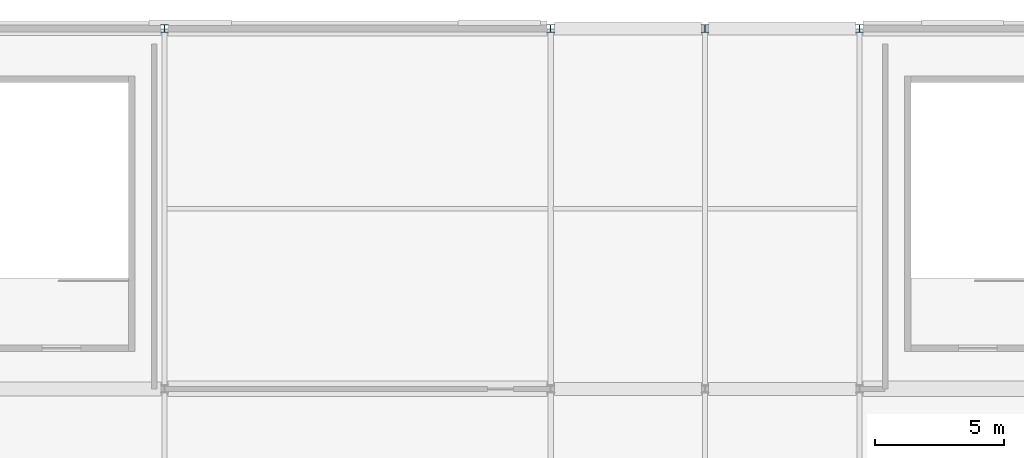
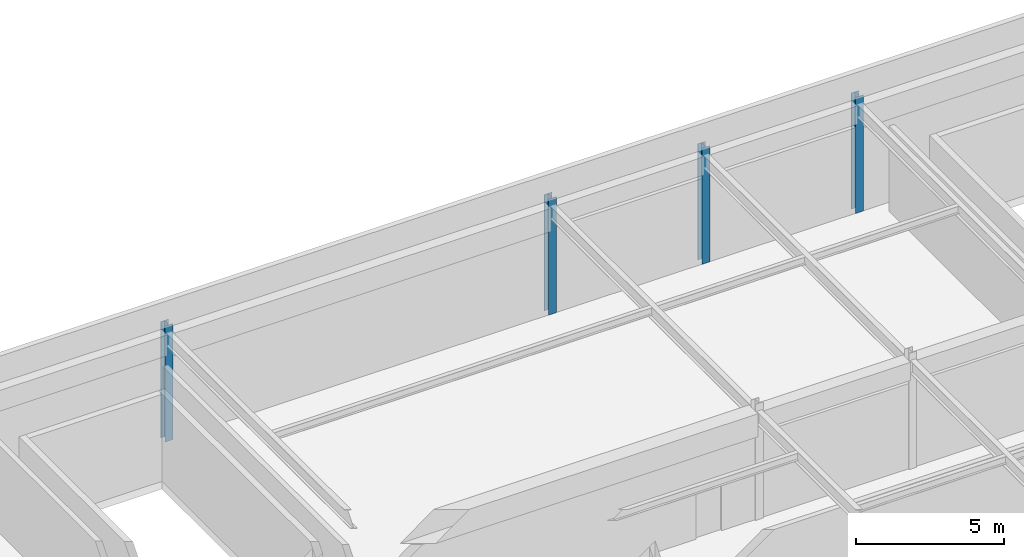
# One storey, part 19 of 122: 4 columns.
"""IFC4 building model written with IfcOpenShell, lengths in metres."""

from ifc_helpers import new_model, si_unit, direction, frame, origin, origin_2d, place, context, subcontext, project, spatial, i_section, extrude, material, material_profile, profile_set, type_object, element, save


model = new_model("IFC4")

# Units and contexts
model_context = context("Model", 3, precision=1e-05, world=origin(), true_north=direction((0.0, 1.0)))
body_context = subcontext(model_context, "Body", "Model", "MODEL_VIEW")
ifc_project = project(units=[si_unit("LENGTHUNIT", "METRE"), si_unit("AREAUNIT", "SQUARE_METRE"), si_unit("VOLUMEUNIT", "CUBIC_METRE"), si_unit("PLANEANGLEUNIT", "RADIAN"), si_unit("MASSUNIT", "GRAM", prefix="KILO")], contexts=[model_context])

# Site, building, storey
site_placement = place(None, origin())
site = spatial("IfcSite", under=ifc_project, at=site_placement, CompositionType="ELEMENT")
building_placement = place(site_placement, origin())
building = spatial("IfcBuilding", under=site, at=building_placement, Name="Cuetzalor Civic Arena", CompositionType="ELEMENT")
storey_placement = place(building_placement, frame((0.0, 0.0, 16.199951171875)))
storey = spatial("IfcBuildingStorey", under=building, at=storey_placement, Name="L03", CompositionType="ELEMENT", Elevation=16.199951171875)

# Columns
ifc_material = material(Name="Steel S355", Category="steel")
ifc_material_profile = material_profile(ifc_material, i_section(OverallWidth=0.304931640625, OverallDepth=0.30810546875, WebThickness=0.010009765625, FlangeThickness=0.015380859375, at=origin_2d()), Name="W310x97")
ifc_profile_set = profile_set([ifc_material_profile], Name="Steel S355")
column_type = type_object("IfcColumnType", Name="SteelGalleryColumn_W310", PredefinedType="COLUMN", material=ifc_profile_set)
for number, where, z_axis, x_axis, name in (
    (1, (21.0, 75.5, 0.0), (0.0, 0.0, 1.0), (1.0, 0.0, 0.0), "Column V5-C-10-05 L03"),
    (2, (36.0, 75.5, 0.0), (0.0, 0.0, 1.0), (1.0, 0.0, 0.0), "Column V5-C-11-05 L03"),
    (3, (42.0, 75.5, 0.0), (0.0, 0.0, 1.0), (1.0, 0.0, 0.0), "Column V5-C-12-05 L03"),
    (4, (48.0, 75.5, 0.0), (0.0, 0.0, 1.0), (1.0, 0.0, 0.0), "Column V5-C-13-05 L03"),
):
    element("IfcColumn", number, at=place(storey_placement, frame(where, z_axis=z_axis, x_axis=x_axis)), inside=storey, type_object=column_type, Name=name, PredefinedType="COLUMN", context=body_context, shape_type="SweptSolid", body=[
        extrude(i_section(OverallWidth=0.304931640625, OverallDepth=0.30810546875, WebThickness=0.010009765625, FlangeThickness=0.015380859375, at=origin_2d()), origin(), (0.0, 0.0, 1.0), 4.800048828125),
    ])

save(model, "model.ifc")
